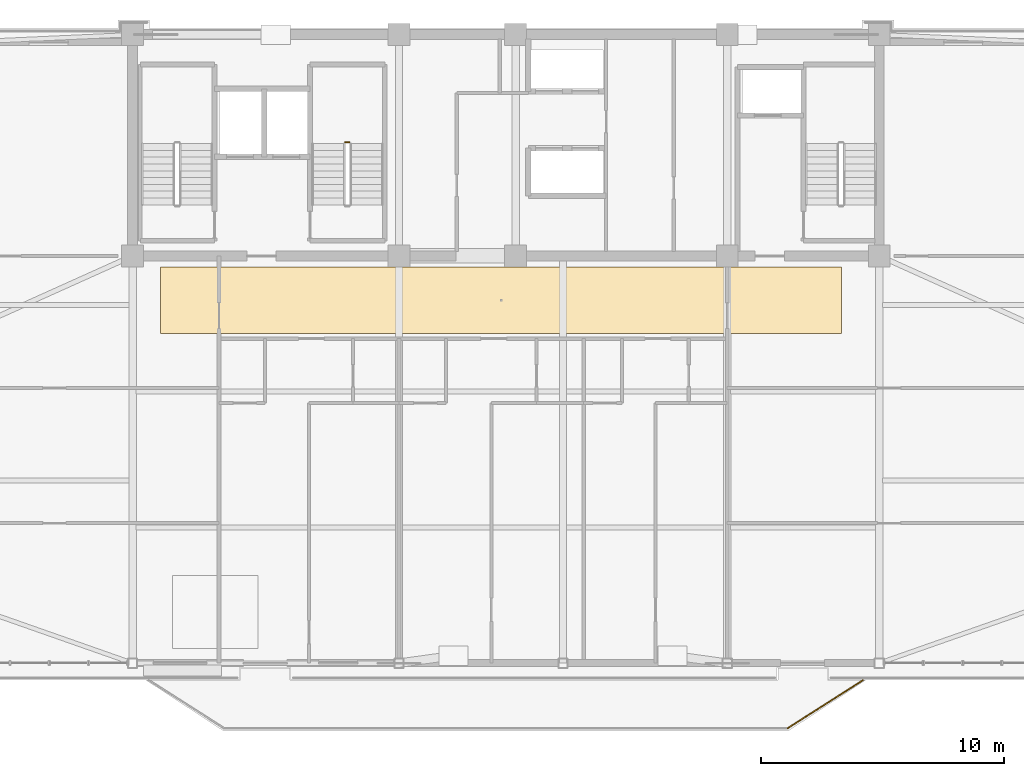
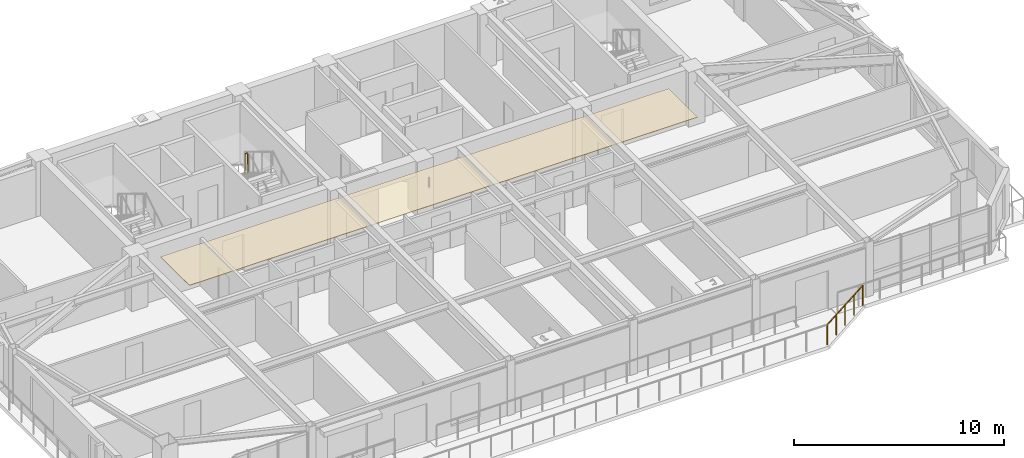
# One storey, part 13 of 14: 2 railings, 1 covering.
"""IFC4 building model written with IfcOpenShell, lengths in metres."""

from ifc_helpers import new_model, si_unit, direction, frame, origin, origin_2d, place, context, subcontext, project, spatial, polyline, rectangle, outline, extrude, material, layer, layer_set, type_object, element, save


model = new_model("IFC4")

# Units and contexts
model_context = context("Model", 3, precision=1e-05, world=origin(), true_north=direction((0.0, 1.0)))
body_context = subcontext(model_context, "Body", "Model", "MODEL_VIEW")
ifc_project = project(units=[si_unit("LENGTHUNIT", "METRE"), si_unit("AREAUNIT", "SQUARE_METRE"), si_unit("VOLUMEUNIT", "CUBIC_METRE"), si_unit("PLANEANGLEUNIT", "RADIAN"), si_unit("MASSUNIT", "GRAM", prefix="KILO")], contexts=[model_context])

# Site, building, storey
site_placement = place(None, origin())
site = spatial("IfcSite", under=ifc_project, at=site_placement, CompositionType="ELEMENT")
building_placement = place(site_placement, origin())
building = spatial("IfcBuilding", under=site, at=building_placement, Name="Giltprow Tower", CompositionType="ELEMENT")
storey_placement = place(building_placement, frame((0.0, 0.0, 314.199951171875)))
storey = spatial("IfcBuildingStorey", under=building, at=storey_placement, Name="L81", CompositionType="ELEMENT", Elevation=314.199951171875)

# Covering
ifc_material_1 = material(Name="Painted gypsum board", Category="gypsum")
ifc_layer = layer(ifc_material_1, 0.030029296875, Name="Painted gypsum board")
ifc_layer_set = layer_set([ifc_layer], Name="Painted gypsum board")
covering_type = type_object("IfcCoveringType", Name="COV-CLG-GYPSUM", PredefinedType="CEILING", material=ifc_layer_set)
covering_placement = place(storey_placement, frame((0.0, 0.0, 2.6201171875)))
element("IfcCovering", 1, at=covering_placement, inside=storey, type_object=covering_type, Name="L81 Residence Gallery Ceiling", PredefinedType="CEILING", context=body_context, shape_type="SweptSolid", body=[
    extrude(outline(polyline([(21.0, 34.25), (49.0, 34.25), (49.0, 37.0), (21.0, 37.0), (21.0, 34.25)])), origin(), (0.0, 0.0, 1.0), 0.030029296875),
])

# Railings
ifc_material_2 = material(Name="Anodized bronze", Category="metal")
railing_type_1 = type_object("IfcRailingType", Name="RAIL-BALC-GUARD-1200", PredefinedType="BALUSTRADE", material=ifc_material_2)
railing_1_placement = place(storey_placement, frame((46.780029296875, 18.02392578125, 0.0)))
element("IfcRailing", 2, at=railing_1_placement, inside=storey, type_object=railing_type_1, Name="L81 Waterfront Balcony Balustrade Seg 3", PredefinedType="BALUSTRADE", context=body_context, shape_type="SweptSolid", body=[
    extrude(rectangle(XDim=0.048095703125, YDim=0.048095703125, at=origin_2d()), frame((0.0, 0.0, 1.17578125), z_axis=(0.842755646126, 0.538296313309, 0.0), x_axis=(-0.538296313309, 0.842755646126, 0.0)), (0.0, 0.0, 1.0), 3.67822265625),
    extrude(rectangle(XDim=0.0419921875, YDim=0.0419921875, at=origin_2d()), origin(), (0.0, 0.0, 1.0), 1.15185546875),
    extrude(rectangle(XDim=0.0419921875, YDim=0.0419921875, at=origin_2d()), frame((0.77490234375, 0.4951171875, 0.0)), (0.0, 0.0, 1.0), 1.15185546875),
    extrude(rectangle(XDim=0.0419921875, YDim=0.0419921875, at=origin_2d()), frame((1.5498046875, 0.989990234375, 0.0)), (0.0, 0.0, 1.0), 1.15185546875),
    extrude(rectangle(XDim=0.0419921875, YDim=0.0419921875, at=origin_2d()), frame((2.324951171875, 1.48486328125, 0.0)), (0.0, 0.0, 1.0), 1.15185546875),
    extrude(rectangle(XDim=0.0419921875, YDim=0.0419921875, at=origin_2d()), frame((3.099853515625, 1.97998046875, 0.0)), (0.0, 0.0, 1.0), 1.15185546875),
])
railing_type_2 = type_object("IfcRailingType", Name="RAIL-STAIR-GUARD-1200", PredefinedType="GUARDRAIL", material=ifc_material_2)
railing_2_placement = place(storey_placement, frame((28.760009765625, 42.1201171875, 1.699951171875)))
element("IfcRailing", 3, at=railing_2_placement, inside=storey, type_object=railing_type_2, Name="L81 ST-2 stair guard 2", PredefinedType="GUARDRAIL", context=body_context, shape_type="SweptSolid", body=[
    extrude(rectangle(XDim=0.048095703125, YDim=0.048095703125, at=origin_2d()), frame((0.0, 0.0, 1.17578125), z_axis=(-1.0, 0.0, 0.0), x_axis=(0.0, -1.0, 0.0)), (0.0, 0.0, 1.0), 0.159912109375),
    extrude(rectangle(XDim=0.0419921875, YDim=0.0419921875, at=origin_2d()), origin(), (0.0, 0.0, 1.0), 1.15185546875),
    extrude(rectangle(XDim=0.0419921875, YDim=0.0419921875, at=origin_2d()), frame((-0.159912109375, 0.0, 0.0)), (0.0, 0.0, 1.0), 1.15185546875),
])

save(model, "model.ifc")
